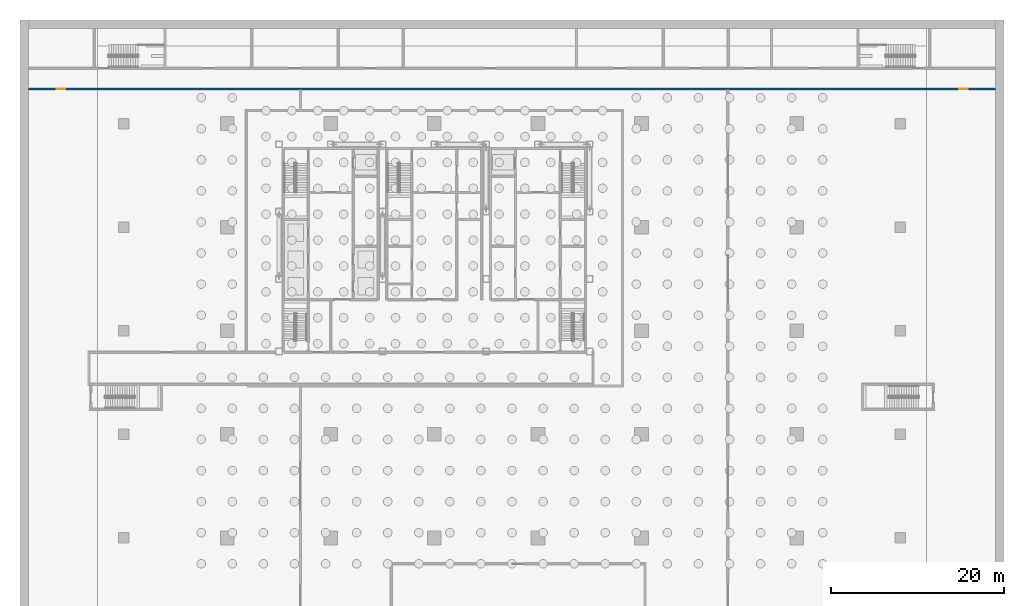
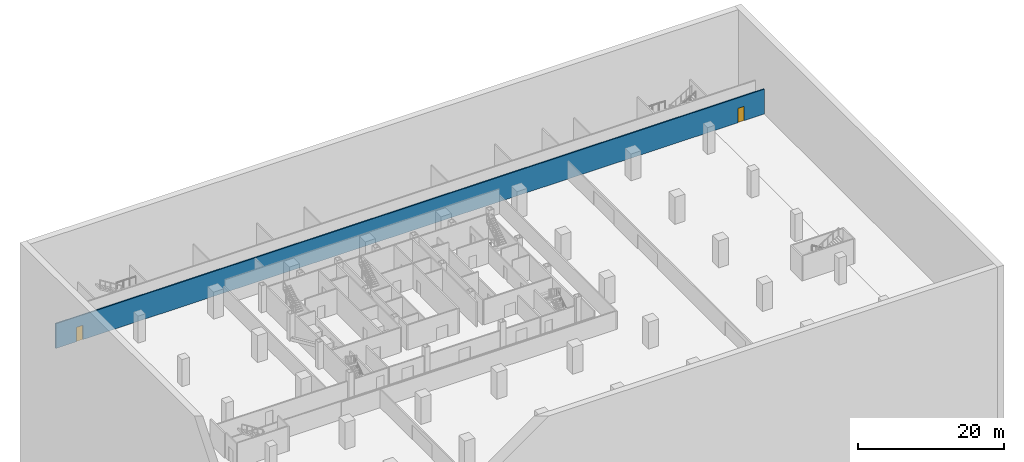
# One storey, part 9 of 18: 2 doors, 1 wall, 2 openings.
"""IFC4 building model written with IfcOpenShell, lengths in metres."""

from ifc_helpers import new_model, si_unit, direction, frame, frame_2d, origin, place, context, subcontext, project, spatial, rectangle, extrude, material, layer, layer_set, type_object, element, fill, save


model = new_model("IFC4")

# Units and contexts
model_context = context("Model", 3, precision=1e-05, world=origin(), true_north=direction((0.0, 1.0)))
body_context = subcontext(model_context, "Body", "Model", "MODEL_VIEW")
ifc_project = project(units=[si_unit("LENGTHUNIT", "METRE"), si_unit("AREAUNIT", "SQUARE_METRE"), si_unit("VOLUMEUNIT", "CUBIC_METRE"), si_unit("PLANEANGLEUNIT", "RADIAN"), si_unit("MASSUNIT", "GRAM", prefix="KILO")], contexts=[model_context])

# Site, building, storey
site_placement = place(None, origin())
site = spatial("IfcSite", under=ifc_project, at=site_placement, CompositionType="ELEMENT")
building_placement = place(site_placement, origin())
building = spatial("IfcBuilding", under=site, at=building_placement, Name="Sorahane Residences", CompositionType="ELEMENT")
storey_placement = place(building_placement, frame((0.0, 0.0, -13.5)))
storey = spatial("IfcBuildingStorey", under=building, at=storey_placement, Name="B3", CompositionType="ELEMENT", Elevation=-13.5)

# Wall, openings, doors
ifc_material_1 = material(Name="Concrete blockwork C20 wall", Category="masonry")
ifc_layer = layer(ifc_material_1, 0.199951171875)
ifc_layer_set = layer_set([ifc_layer], Name="Fire wall 200 EI 120")
wall_type = type_object("IfcWallType", Name="Fire wall 200 EI 120", PredefinedType="SOLIDWALL", material=ifc_layer_set)
wall_placement = place(storey_placement, frame((-23.0, 52.0, 0.0), z_axis=(0.0, 0.0, 1.0), x_axis=(1.0, 0.0, 0.0)))
wall = element("IfcWall", 1, at=wall_placement, inside=storey, type_object=wall_type, Name="B3 fire wall", PredefinedType="SOLIDWALL", context=body_context, shape_type="SweptSolid", body=[
    extrude(rectangle(XDim=112.0, YDim=0.199951171875, at=frame_2d((56.0, 0.0))), origin(), (0.0, 0.0, 1.0), 4.14990234375),
])
opening_1_placement = place(wall_placement, frame((3.25, 0.0, 0.0)))
opening_1 = element("IfcOpeningElement", 2, at=opening_1_placement, cuts=wall, Name="Opening B3-14", PredefinedType="OPENING", context=body_context, shape_type="SweptSolid", body=[
    extrude(rectangle(XDim=1.0, YDim=2.39990234375, at=frame_2d((0.5, 1.199951171875))), frame((0.0, 0.10986328125, 0.0), z_axis=(0.0, -1.0, 0.0), x_axis=(1.0, 0.0, 0.0)), (0.0, 0.0, 1.0), 0.219970703125),
])
opening_2_placement = place(wall_placement, frame((107.800048828125, 0.0, 0.0)))
opening_2 = element("IfcOpeningElement", 3, at=opening_2_placement, cuts=wall, Name="Opening B3-15", PredefinedType="OPENING", context=body_context, shape_type="SweptSolid", body=[
    extrude(rectangle(XDim=1.0, YDim=2.39990234375, at=frame_2d((0.5, 1.199951171875))), frame((0.0, 0.10986328125, 0.0), z_axis=(0.0, -1.0, 0.0), x_axis=(1.0, 0.0, 0.0)), (0.0, 0.0, 1.0), 0.219970703125),
])
ifc_material_2 = material(Name="Steel", Category="steel")
door_type = type_object("IfcDoorType", Name="Fire door 1000x2400 FD60", OperationType="NOTDEFINED", PredefinedType="DOOR", material=ifc_material_2)
door_1_placement = place(opening_1_placement, origin())
door_1 = element("IfcDoor", 4, at=door_1_placement, inside=storey, type_object=door_type, Name="Fire door B3-14", OperationType="SINGLE_SWING_RIGHT", OverallHeight=2.39990234375, OverallWidth=1.0, PredefinedType="DOOR", context=body_context, shape_type="SweptSolid", body=[
    extrude(rectangle(XDim=1.0, YDim=2.39990234375, at=frame_2d((0.5, 1.199951171875))), frame((0.0, 0.02490234375, 0.0), z_axis=(0.0, -1.0, 0.0), x_axis=(1.0, 0.0, 0.0)), (0.0, 0.0, 1.0), 0.050048828125),
])
fill(opening_1, door_1)
door_2_placement = place(opening_2_placement, frame((1.0, 0.0, 0.0), z_axis=(0.0, 0.0, 1.0), x_axis=(-1.0, 0.0, 0.0)))
door_2 = element("IfcDoor", 5, at=door_2_placement, inside=storey, type_object=door_type, Name="Fire door B3-15", OperationType="SINGLE_SWING_RIGHT", OverallHeight=2.39990234375, OverallWidth=1.0, PredefinedType="DOOR", context=body_context, shape_type="SweptSolid", body=[
    extrude(rectangle(XDim=1.0, YDim=2.39990234375, at=frame_2d((0.5, 1.199951171875))), frame((0.0, 0.02490234375, 0.0), z_axis=(0.0, -1.0, 0.0), x_axis=(1.0, 0.0, 0.0)), (0.0, 0.0, 1.0), 0.050048828125),
])
fill(opening_2, door_2)

save(model, "model.ifc")
